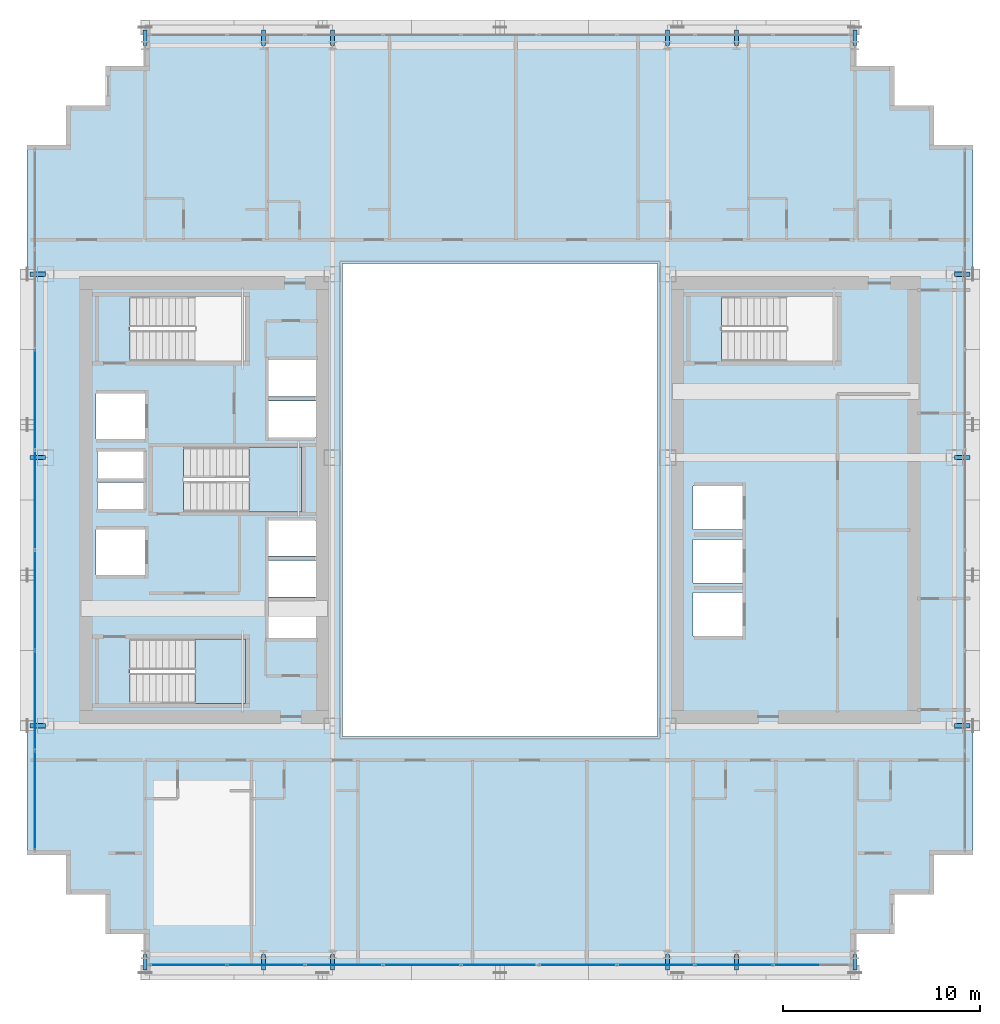
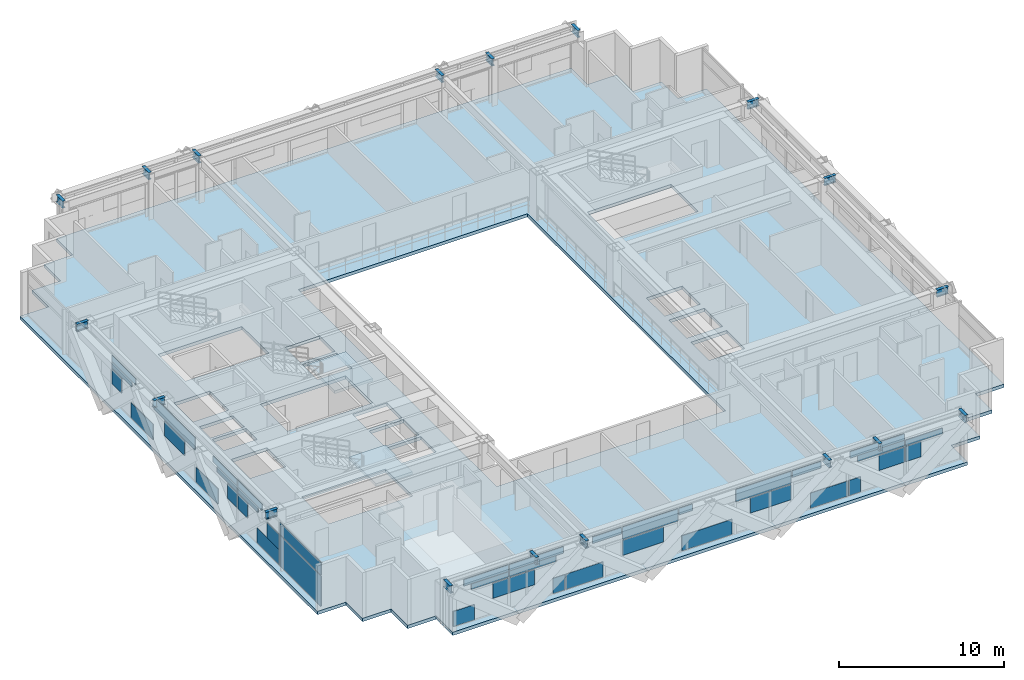
# One storey, part 23 of 35: 41 plates, 18 beams, 3 slabs, 4 elements without a shape of their own.
"""IFC4 building model written with IfcOpenShell, lengths in metres."""

from ifc_helpers import new_model, si_unit, direction, frame, origin, origin_2d, place, context, subcontext, project, spatial, polyline, rectangle, i_section, outline, extrude, source, transform, mapped, material, layer, layer_set, material_profile, profile_set, type_object, element, aggregate, save


model = new_model("IFC4")

# Units and contexts
model_context = context("Model", 3, precision=1e-05, world=origin(), true_north=direction((0.0, 1.0)))
body_context = subcontext(model_context, "Body", "Model", "MODEL_VIEW")
ifc_project = project(units=[si_unit("LENGTHUNIT", "METRE"), si_unit("AREAUNIT", "SQUARE_METRE"), si_unit("VOLUMEUNIT", "CUBIC_METRE"), si_unit("PLANEANGLEUNIT", "RADIAN"), si_unit("MASSUNIT", "GRAM", prefix="KILO")], contexts=[model_context])

# Site, building, storey
site_placement = place(None, origin())
site = spatial("IfcSite", under=ifc_project, at=site_placement, CompositionType="ELEMENT")
building_placement = place(site_placement, origin())
building = spatial("IfcBuilding", under=site, at=building_placement, Name="Ocotamira Hotel", CompositionType="ELEMENT")
storey_placement = place(building_placement, frame((0.0, 0.0, 122.39990234375)))
storey = spatial("IfcBuildingStorey", under=building, at=storey_placement, Name="L30", CompositionType="ELEMENT", Elevation=122.39990234375)

# Beams
ifc_material_1 = material(Name="Steel ASTM A992 Grade 50", Category="steel")
ifc_material_profile = material_profile(ifc_material_1, i_section(OverallWidth=0.2099609375, OverallDepth=0.537109375, WebThickness=0.010986328125, FlangeThickness=0.017333984375, FilletRadius=0.012939453125, at=origin_2d()), Name="W21X68")
ifc_profile_set = profile_set([ifc_material_profile], Name="Steel ASTM A992 Grade 50")
beam_type = type_object("IfcBeamType", Name="BM-SEC-W21X68", PredefinedType="JOIST", material=ifc_profile_set)
shared_shape_1 = source(origin(), body_context, "Body", "SweptSolid", [
    extrude(i_section(OverallWidth=0.2099609375, OverallDepth=0.537109375, WebThickness=0.010986328125, FlangeThickness=0.017333984375, FilletRadius=0.012939453125, at=origin_2d()), origin(), (0.0, 0.0, 1.0), 0.800048828125),
])
for number, where, z_axis, x_axis, name in (
    (1, (14.0, 2.949951171875, 3.091552734375), (0.0, -1.0, 0.0), (1.0, 0.0, 0.0), "L30 South Edge Header X14"),
    (2, (14.0, 49.050048828125, 3.091552734375), (0.0, 1.0, 0.0), (-1.0, 0.0, 0.0), "L30 North Edge Header X14"),
    (3, (20.0, 2.949951171875, 3.091552734375), (0.0, -1.0, 0.0), (1.0, 0.0, 0.0), "L30 South Edge Header X20"),
    (4, (20.0, 49.050048828125, 3.091552734375), (0.0, 1.0, 0.0), (-1.0, 0.0, 0.0), "L30 North Edge Header X20"),
    (5, (23.5, 2.949951171875, 3.091552734375), (0.0, -1.0, 0.0), (1.0, 0.0, 0.0), "L30 South Edge Header X23.5"),
    (6, (23.5, 49.050048828125, 3.091552734375), (0.0, 1.0, 0.0), (-1.0, 0.0, 0.0), "L30 North Edge Header X23.5"),
    (7, (40.5, 2.949951171875, 3.091552734375), (0.0, -1.0, 0.0), (1.0, 0.0, 0.0), "L30 South Edge Header X40.5"),
    (8, (40.5, 49.050048828125, 3.091552734375), (0.0, 1.0, 0.0), (-1.0, 0.0, 0.0), "L30 North Edge Header X40.5"),
    (9, (44.0, 2.949951171875, 3.091552734375), (0.0, -1.0, 0.0), (1.0, 0.0, 0.0), "L30 South Edge Header X44"),
    (10, (44.0, 49.050048828125, 3.091552734375), (0.0, 1.0, 0.0), (-1.0, 0.0, 0.0), "L30 North Edge Header X44"),
    (11, (50.0, 2.949951171875, 3.091552734375), (0.0, -1.0, 0.0), (1.0, 0.0, 0.0), "L30 South Edge Header X50"),
    (12, (50.0, 49.050048828125, 3.091552734375), (0.0, 1.0, 0.0), (-1.0, 0.0, 0.0), "L30 North Edge Header X50"),
    (13, (8.949951171875, 14.550048828125, 3.091552734375), (-1.0, 0.0, 0.0), (0.0, -1.0, 0.0), "L30 West Edge Header Y14.55"),
    (14, (55.050048828125, 14.550048828125, 3.091552734375), (1.0, 0.0, 0.0), (0.0, 1.0, 0.0), "L30 East Edge Header Y14.55"),
    (15, (8.949951171875, 28.14990234375, 3.091552734375), (-1.0, 0.0, 0.0), (0.0, -1.0, 0.0), "L30 West Edge Header Y28.15"),
    (16, (55.050048828125, 28.14990234375, 3.091552734375), (1.0, 0.0, 0.0), (0.0, 1.0, 0.0), "L30 East Edge Header Y28.15"),
    (17, (8.949951171875, 37.449951171875, 3.091552734375), (-1.0, 0.0, 0.0), (0.0, -1.0, 0.0), "L30 West Edge Header Y37.45"),
    (18, (55.050048828125, 37.449951171875, 3.091552734375), (1.0, 0.0, 0.0), (0.0, 1.0, 0.0), "L30 East Edge Header Y37.45"),
):
    element("IfcBeam", number, at=place(storey_placement, frame(where, z_axis=z_axis, x_axis=x_axis)), inside=storey, type_object=beam_type, Name=name, PredefinedType="JOIST", context=body_context, shape_type="MappedRepresentation", body=[
        mapped(shared_shape_1, transform((0.0, 0.0, 0.0), scale=1.0)),
    ])

# Stair, slab
ifc_material_2 = material(Name="Concrete C40/50", Category="concrete")
stair_type = type_object("IfcStairType", Name="ST-CORE-1560", PredefinedType="HALF_TURN_STAIR", material=ifc_material_2)
stair_1_placement = place(storey_placement, origin())
stair_1 = element("IfcStair", 19, at=stair_1_placement, inside=storey, type_object=stair_type, Name="L30 Exit Stair ST-1", PredefinedType="HALF_TURN_STAIR")
ifc_layer_1 = layer(ifc_material_2, 0.199951171875)
ifc_layer_set_1 = layer_set([ifc_layer_1], Name="Concrete C40/50")
slab_type_1 = type_object("IfcSlabType", Name="SLB-LAND-200", PredefinedType="LANDING", material=ifc_layer_set_1)
slab_1_placement = place(storey_placement, frame((0.0, 0.0, 1.60009765625)))
slab_1 = element("IfcSlab", 20, at=slab_1_placement, type_object=slab_type_1, Name="ST-1 landing 1", PredefinedType="LANDING", context=body_context, shape_type="SweptSolid", body=[
    extrude(outline(polyline([(16.530029296875, 15.669921875), (19.090087890625, 15.669921875), (19.090087890625, 18.949951171875), (16.530029296875, 18.949951171875), (16.530029296875, 15.669921875)])), origin(), (0.0, 0.0, 1.0), 0.199951171875),
])
aggregate(stair_1, [slab_1])

stair_2_placement = place(storey_placement, origin())
stair_2 = element("IfcStair", 21, at=stair_2_placement, inside=storey, type_object=stair_type, Name="L30 Exit Stair ST-3", PredefinedType="HALF_TURN_STAIR")
slab_2_placement = place(storey_placement, frame((0.0, 0.0, 1.60009765625)))
slab_2 = element("IfcSlab", 22, at=slab_2_placement, type_object=slab_type_1, Name="ST-3 landing 1", PredefinedType="LANDING", context=body_context, shape_type="SweptSolid", body=[
    extrude(outline(polyline([(19.260009765625, 25.39990234375), (21.919921875, 25.39990234375), (21.919921875, 28.679931640625), (19.260009765625, 28.679931640625), (19.260009765625, 25.39990234375)])), origin(), (0.0, 0.0, 1.0), 0.199951171875),
])
aggregate(stair_2, [slab_2])

# Slab
ifc_layer_2 = layer(ifc_material_2, 0.239990234375)
ifc_layer_set_2 = layer_set([ifc_layer_2], Name="Concrete C40/50")
slab_type_2 = type_object("IfcSlabType", Name="SLB-TYP-240", PredefinedType="FLOOR", material=ifc_layer_set_2)
slab_3_placement = place(storey_placement, frame((0.0, 0.0, -0.239990234375)))
element("IfcSlab", 23, at=slab_3_placement, inside=storey, type_object=slab_type_2, Name="L30 Structural Floor Slab", PredefinedType="FLOOR", context=body_context, shape_type="SweptSolid", body=[
    extrude(outline(polyline([(14.0, 2.0), (50.0, 2.0), (50.0, 4.0), (52.0, 4.0), (52.0, 6.0), (54.0, 6.0), (54.0, 8.0), (56.0, 8.0), (56.0, 44.0), (54.0, 44.0), (54.0, 46.0), (52.0, 46.0), (52.0, 48.0), (50.0, 48.0), (50.0, 50.0), (14.0, 50.0), (14.0, 48.0), (12.0, 48.0), (12.0, 46.0), (10.0, 46.0), (10.0, 44.0), (8.0, 44.0), (8.0, 8.0), (10.0, 8.0), (10.0, 6.0), (12.0, 6.0), (12.0, 4.0), (14.0, 4.0), (14.0, 2.0)]), holes=[polyline([(24.0, 14.0), (40.0, 14.0), (40.0, 38.0), (24.0, 38.0), (24.0, 14.0)]), polyline([(13.22998046875, 15.669921875), (19.090087890625, 15.669921875), (19.090087890625, 18.949951171875), (13.22998046875, 18.949951171875), (13.22998046875, 15.669921875)]), polyline([(13.22998046875, 33.050048828125), (19.090087890625, 33.050048828125), (19.090087890625, 36.330078125), (13.22998046875, 36.330078125), (13.22998046875, 33.050048828125)]), polyline([(15.9599609375, 25.39990234375), (21.919921875, 25.39990234375), (21.919921875, 28.679931640625), (15.9599609375, 28.679931640625), (15.9599609375, 25.39990234375)]), polyline([(43.22998046875, 33.050048828125), (49.090087890625, 33.050048828125), (49.090087890625, 36.330078125), (43.22998046875, 36.330078125), (43.22998046875, 33.050048828125)]), polyline([(41.800048828125, 19.10009765625), (44.300048828125, 19.10009765625), (44.300048828125, 21.300048828125), (41.800048828125, 21.300048828125), (41.800048828125, 19.10009765625)]), polyline([(41.800048828125, 21.800048828125), (44.300048828125, 21.800048828125), (44.300048828125, 24.0), (41.800048828125, 24.0), (41.800048828125, 21.800048828125)]), polyline([(41.800048828125, 24.5), (44.300048828125, 24.5), (44.300048828125, 26.699951171875), (41.800048828125, 26.699951171875), (41.800048828125, 24.5)]), polyline([(20.25, 19.0), (22.659912109375, 19.0), (22.659912109375, 20.85009765625), (20.25, 20.85009765625), (20.25, 19.0)]), polyline([(20.25, 21.080078125), (22.659912109375, 21.080078125), (22.659912109375, 22.929931640625), (20.25, 22.929931640625), (20.25, 21.080078125)]), polyline([(20.25, 23.159912109375), (22.659912109375, 23.159912109375), (22.659912109375, 24.9599609375), (20.25, 24.9599609375), (20.25, 23.159912109375)]), polyline([(20.25, 29.179931640625), (22.659912109375, 29.179931640625), (22.659912109375, 31.030029296875), (20.25, 31.030029296875), (20.25, 29.179931640625)]), polyline([(20.25, 31.260009765625), (22.659912109375, 31.260009765625), (22.659912109375, 33.110107421875), (20.25, 33.110107421875), (20.25, 31.260009765625)]), polyline([(11.5, 22.199951171875), (14.0, 22.199951171875), (14.0, 24.5), (11.5, 24.5), (11.5, 22.199951171875)]), polyline([(11.5, 29.10009765625), (14.0, 29.10009765625), (14.0, 31.39990234375), (11.5, 31.39990234375), (11.5, 29.10009765625)]), polyline([(11.580078125, 25.550048828125), (13.919921875, 25.550048828125), (13.919921875, 26.89990234375), (11.580078125, 26.89990234375), (11.580078125, 25.550048828125)]), polyline([(11.580078125, 27.10009765625), (13.919921875, 27.10009765625), (13.919921875, 28.449951171875), (11.580078125, 28.449951171875), (11.580078125, 27.10009765625)])]), origin(), (0.0, 0.0, 1.0), 0.239990234375),
])

# Curtain wall, plate
ifc_material_3 = material(Name="Anodised pale-metal aluminium and solar glass", Category="aluminium")
ifc_layer_3 = layer(ifc_material_3, 0.179931640625)
ifc_layer_set_3 = layer_set([ifc_layer_3], Name="Anodised pale-metal aluminium and solar glass")
curtain_wall_type = type_object("IfcCurtainWallType", Name="CW-SYS3-Z2", PredefinedType="NOTDEFINED", material=ifc_layer_set_3)
curtain_wall_1_placement = place(storey_placement, origin())
curtain_wall_1 = element("IfcCurtainWall", 24, at=curtain_wall_1_placement, inside=storey, type_object=curtain_wall_type, Name="L30 Curtain Wall CW-3 CW-L30-W", PredefinedType="NOTDEFINED")
ifc_material_4 = material(Name="Double-silver low-E insulated solar glass", Category="glass")
ifc_layer_4 = layer(ifc_material_4, 0.031982421875)
ifc_layer_set_4 = layer_set([ifc_layer_4], Name="Double-silver low-E insulated solar glass")
plate_type = type_object("IfcPlateType", Name="CWP-VISION-32", PredefinedType="CURTAIN_PANEL", material=ifc_layer_set_4)
shared_shape_2 = source(origin(), body_context, "Body", "SweptSolid", [
    extrude(rectangle(XDim=4.9658203125, YDim=0.031982421875, at=origin_2d()), origin(), (0.0, 0.0, 1.0), 2.237548828125),
])
plate_1_placement = place(storey_placement, frame((8.419921875, 10.762939453125, 0.0751953125), z_axis=(0.0, 0.0, 1.0), x_axis=(0.0, 1.0, 0.0)))
plate_1 = element("IfcPlate", 25, at=plate_1_placement, type_object=plate_type, Name="CW-3 panel 1.1", PredefinedType="CURTAIN_PANEL", context=body_context, shape_type="MappedRepresentation", body=[
    mapped(shared_shape_2, transform((0.0, 0.0, 0.0), scale=1.0)),
])

# Curtain wall, plates
curtain_wall_2_placement = place(storey_placement, origin())
curtain_wall_2 = element("IfcCurtainWall", 26, at=curtain_wall_2_placement, inside=storey, type_object=curtain_wall_type, Name="L30 Curtain Wall CW-3 CW-L30-S1", PredefinedType="NOTDEFINED")
shared_shape_3 = source(origin(), body_context, "Body", "SweptSolid", [
    extrude(rectangle(XDim=3.87548828125, YDim=0.031982421875, at=origin_2d()), origin(), (0.0, 0.0, 1.0), 0.8974609375),
])
plate_2_placement = place(storey_placement, frame((28.04443359375, 2.419921875, 2.3876953125), z_axis=(0.0, 0.0, 1.0), x_axis=(1.0, 0.0, 0.0)))
plate_2 = element("IfcPlate", 27, at=plate_2_placement, type_object=plate_type, Name="CW-3 panel 4.2", PredefinedType="CURTAIN_PANEL", context=body_context, shape_type="MappedRepresentation", body=[
    mapped(shared_shape_3, transform((0.0, 0.0, 0.0), scale=1.0)),
])
plate_3_placement = place(storey_placement, frame((35.95556640625, 2.419921875, 2.3876953125), z_axis=(0.0, 0.0, 1.0), x_axis=(1.0, 0.0, 0.0)))
plate_3 = element("IfcPlate", 28, at=plate_3_placement, type_object=plate_type, Name="CW-3 panel 6.2", PredefinedType="CURTAIN_PANEL", context=body_context, shape_type="MappedRepresentation", body=[
    mapped(shared_shape_3, transform((0.0, 0.0, 0.0), scale=1.0)),
])

# Plate
shared_shape_4 = source(origin(), body_context, "Body", "SweptSolid", [
    extrude(rectangle(XDim=4.9658203125, YDim=0.031982421875, at=origin_2d()), origin(), (0.0, 0.0, 1.0), 0.8974609375),
])
plate_4_placement = place(storey_placement, frame((8.419921875, 10.762939453125, 2.3876953125), z_axis=(0.0, 0.0, 1.0), x_axis=(0.0, 1.0, 0.0)))
plate_4 = element("IfcPlate", 29, at=plate_4_placement, type_object=plate_type, Name="CW-3 panel 1.2", PredefinedType="CURTAIN_PANEL", context=body_context, shape_type="MappedRepresentation", body=[
    mapped(shared_shape_4, transform((0.0, 0.0, 0.0), scale=1.0)),
])

shared_shape_5 = source(origin(), body_context, "Body", "SweptSolid", [
    extrude(rectangle(XDim=2.404296875, YDim=0.031982421875, at=origin_2d()), origin(), (0.0, 0.0, 1.0), 1.118896484375),
])
plate_5_placement = place(storey_placement, frame((8.419921875, 26.0, 1.19384765625), z_axis=(0.0, 0.0, 1.0), x_axis=(0.0, 1.0, 0.0)))
plate_5 = element("IfcPlate", 30, at=plate_5_placement, type_object=plate_type, Name="CW-3 panel 4.1.1", PredefinedType="CURTAIN_PANEL", context=body_context, shape_type="MappedRepresentation", body=[
    mapped(shared_shape_5, transform((0.0, 0.0, 0.0), scale=1.0)),
])

shared_shape_6 = source(origin(), body_context, "Body", "SweptSolid", [
    extrude(rectangle(XDim=1.47509765625, YDim=0.031982421875, at=origin_2d()), origin(), (0.0, 0.0, 1.0), 1.118896484375),
])
plate_6_placement = place(storey_placement, frame((15.017578125, 2.419921875, 0.0751953125), z_axis=(0.0, 0.0, 1.0), x_axis=(1.0, 0.0, 0.0)))
plate_6 = element("IfcPlate", 31, at=plate_6_placement, type_object=plate_type, Name="CW-3 panel 1.1.1", PredefinedType="CURTAIN_PANEL", context=body_context, shape_type="MappedRepresentation", body=[
    mapped(shared_shape_6, transform((0.0, 0.0, 0.0), scale=1.0)),
])

shared_shape_7 = source(origin(), body_context, "Body", "SweptSolid", [
    extrude(rectangle(XDim=3.104248046875, YDim=0.031982421875, at=origin_2d()), origin(), (0.0, 0.0, 1.0), 0.4716796875),
])
plate_7_placement = place(storey_placement, frame((16.5634765625, 2.419921875, 2.8134765625), z_axis=(0.0, 0.0, 1.0), x_axis=(1.0, 0.0, 0.0)))
plate_7 = element("IfcPlate", 32, at=plate_7_placement, type_object=plate_type, Name="CW-3 panel 1.2.1", PredefinedType="CURTAIN_PANEL", context=body_context, shape_type="MappedRepresentation", body=[
    mapped(shared_shape_7, transform((0.0, 0.0, 0.0), scale=1.0)),
])

shared_shape_8 = source(origin(), body_context, "Body", "SweptSolid", [
    extrude(rectangle(XDim=2.572021484375, YDim=0.031982421875, at=origin_2d()), origin(), (0.0, 0.0, 1.0), 0.39453125),
])
plate_8_placement = place(storey_placement, frame((16.82958984375, 2.419921875, 2.3876953125), z_axis=(0.0, 0.0, 1.0), x_axis=(1.0, 0.0, 0.0)))
plate_8 = element("IfcPlate", 33, at=plate_8_placement, type_object=plate_type, Name="CW-3 panel 1.2.2", PredefinedType="CURTAIN_PANEL", context=body_context, shape_type="MappedRepresentation", body=[
    mapped(shared_shape_8, transform((0.0, 0.0, 0.0), scale=1.0)),
])

plate_9_placement = place(storey_placement, frame((47.17041015625, 2.419921875, 2.3876953125), z_axis=(0.0, 0.0, 1.0), x_axis=(1.0, 0.0, 0.0)))
plate_9 = element("IfcPlate", 34, at=plate_9_placement, type_object=plate_type, Name="CW-3 panel 9.2.1", PredefinedType="CURTAIN_PANEL", context=body_context, shape_type="MappedRepresentation", body=[
    mapped(shared_shape_8, transform((0.0, 0.0, 0.0), scale=1.0)),
])

shared_shape_9 = source(origin(), body_context, "Body", "SweptSolid", [
    extrude(rectangle(XDim=0.826171875, YDim=0.031982421875, at=origin_2d()), origin(), (0.0, 0.0, 1.0), 1.118896484375),
])
plate_10_placement = place(storey_placement, frame((21.658203125, 2.419921875, 0.0751953125), z_axis=(0.0, 0.0, 1.0), x_axis=(1.0, 0.0, 0.0)))
plate_10 = element("IfcPlate", 35, at=plate_10_placement, type_object=plate_type, Name="CW-3 panel 2.1.2", PredefinedType="CURTAIN_PANEL", context=body_context, shape_type="MappedRepresentation", body=[
    mapped(shared_shape_9, transform((0.0, 0.0, 0.0), scale=1.0)),
])

plate_11_placement = place(storey_placement, frame((42.341796875, 2.419921875, 0.0751953125), z_axis=(0.0, 0.0, 1.0), x_axis=(1.0, 0.0, 0.0)))
plate_11 = element("IfcPlate", 36, at=plate_11_placement, type_object=plate_type, Name="CW-3 panel 8.1.1", PredefinedType="CURTAIN_PANEL", context=body_context, shape_type="MappedRepresentation", body=[
    mapped(shared_shape_9, transform((0.0, 0.0, 0.0), scale=1.0)),
])

shared_shape_10 = source(origin(), body_context, "Body", "SweptSolid", [
    extrude(rectangle(XDim=3.260986328125, YDim=0.031982421875, at=origin_2d()), origin(), (0.0, 0.0, 1.0), 0.42578125),
])
plate_12_placement = place(storey_placement, frame((19.826171875, 2.419921875, 2.3876953125), z_axis=(0.0, 0.0, 1.0), x_axis=(1.0, 0.0, 0.0)))
plate_12 = element("IfcPlate", 37, at=plate_12_placement, type_object=plate_type, Name="CW-3 panel 2.2.1", PredefinedType="CURTAIN_PANEL", context=body_context, shape_type="MappedRepresentation", body=[
    mapped(shared_shape_10, transform((0.0, 0.0, 0.0), scale=1.0)),
])

plate_13_placement = place(storey_placement, frame((44.173828125, 2.419921875, 2.3876953125), z_axis=(0.0, 0.0, 1.0), x_axis=(1.0, 0.0, 0.0)))
plate_13 = element("IfcPlate", 38, at=plate_13_placement, type_object=plate_type, Name="CW-3 panel 8.2.2", PredefinedType="CURTAIN_PANEL", context=body_context, shape_type="MappedRepresentation", body=[
    mapped(shared_shape_10, transform((0.0, 0.0, 0.0), scale=1.0)),
])

shared_shape_11 = source(origin(), body_context, "Body", "SweptSolid", [
    extrude(rectangle(XDim=3.793212890625, YDim=0.031982421875, at=origin_2d()), origin(), (0.0, 0.0, 1.0), 0.4716796875),
])
plate_14_placement = place(storey_placement, frame((20.09228515625, 2.419921875, 2.8134765625), z_axis=(0.0, 0.0, 1.0), x_axis=(1.0, 0.0, 0.0)))
plate_14 = element("IfcPlate", 39, at=plate_14_placement, type_object=plate_type, Name="CW-3 panel 2.2.2", PredefinedType="CURTAIN_PANEL", context=body_context, shape_type="MappedRepresentation", body=[
    mapped(shared_shape_11, transform((0.0, 0.0, 0.0), scale=1.0)),
])

plate_15_placement = place(storey_placement, frame((43.90771484375, 2.419921875, 2.8134765625), z_axis=(0.0, 0.0, 1.0), x_axis=(1.0, 0.0, 0.0)))
plate_15 = element("IfcPlate", 40, at=plate_15_placement, type_object=plate_type, Name="CW-3 panel 8.2.1", PredefinedType="CURTAIN_PANEL", context=body_context, shape_type="MappedRepresentation", body=[
    mapped(shared_shape_11, transform((0.0, 0.0, 0.0), scale=1.0)),
])

shared_shape_12 = source(origin(), body_context, "Body", "SweptSolid", [
    extrude(rectangle(XDim=2.60400390625, YDim=0.031982421875, at=origin_2d()), origin(), (0.0, 0.0, 1.0), 1.118896484375),
])
plate_16_placement = place(storey_placement, frame((23.453125, 2.419921875, 0.0751953125), z_axis=(0.0, 0.0, 1.0), x_axis=(1.0, 0.0, 0.0)))
plate_16 = element("IfcPlate", 41, at=plate_16_placement, type_object=plate_type, Name="CW-3 panel 3.1.1", PredefinedType="CURTAIN_PANEL", context=body_context, shape_type="MappedRepresentation", body=[
    mapped(shared_shape_12, transform((0.0, 0.0, 0.0), scale=1.0)),
])

plate_17_placement = place(storey_placement, frame((40.546875, 2.419921875, 0.0751953125), z_axis=(0.0, 0.0, 1.0), x_axis=(1.0, 0.0, 0.0)))
plate_17 = element("IfcPlate", 42, at=plate_17_placement, type_object=plate_type, Name="CW-3 panel 7.1.1", PredefinedType="CURTAIN_PANEL", context=body_context, shape_type="MappedRepresentation", body=[
    mapped(shared_shape_12, transform((0.0, 0.0, 0.0), scale=1.0)),
])

shared_shape_13 = source(origin(), body_context, "Body", "SweptSolid", [
    extrude(rectangle(XDim=2.015380859375, YDim=0.031982421875, at=origin_2d()), origin(), (0.0, 0.0, 1.0), 0.4716796875),
])
plate_18_placement = place(storey_placement, frame((25.018798828125, 2.419921875, 2.8134765625), z_axis=(0.0, 0.0, 1.0), x_axis=(1.0, 0.0, 0.0)))
plate_18 = element("IfcPlate", 43, at=plate_18_placement, type_object=plate_type, Name="CW-3 panel 3.2.1", PredefinedType="CURTAIN_PANEL", context=body_context, shape_type="MappedRepresentation", body=[
    mapped(shared_shape_13, transform((0.0, 0.0, 0.0), scale=1.0)),
])

plate_19_placement = place(storey_placement, frame((38.981201171875, 2.419921875, 2.8134765625), z_axis=(0.0, 0.0, 1.0), x_axis=(1.0, 0.0, 0.0)))
plate_19 = element("IfcPlate", 44, at=plate_19_placement, type_object=plate_type, Name="CW-3 panel 7.2.1", PredefinedType="CURTAIN_PANEL", context=body_context, shape_type="MappedRepresentation", body=[
    mapped(shared_shape_13, transform((0.0, 0.0, 0.0), scale=1.0)),
])

shared_shape_14 = source(origin(), body_context, "Body", "SweptSolid", [
    extrude(rectangle(XDim=3.510009765625, YDim=0.031982421875, at=origin_2d()), origin(), (0.0, 0.0, 1.0), 1.118896484375),
])
plate_20_placement = place(storey_placement, frame((32.0, 2.419921875, 0.0751953125), z_axis=(0.0, 0.0, 1.0), x_axis=(1.0, 0.0, 0.0)))
plate_20 = element("IfcPlate", 45, at=plate_20_placement, type_object=plate_type, Name="CW-3 panel 5.1.1", PredefinedType="CURTAIN_PANEL", context=body_context, shape_type="MappedRepresentation", body=[
    mapped(shared_shape_14, transform((0.0, 0.0, 0.0), scale=1.0)),
])

shared_shape_15 = source(origin(), body_context, "Body", "SweptSolid", [
    extrude(rectangle(XDim=0.926513671875, YDim=0.031982421875, at=origin_2d()), origin(), (0.0, 0.0, 1.0), 0.4716796875),
])
plate_21_placement = place(storey_placement, frame((30.525390625, 2.419921875, 2.8134765625), z_axis=(0.0, 0.0, 1.0), x_axis=(1.0, 0.0, 0.0)))
plate_21 = element("IfcPlate", 46, at=plate_21_placement, type_object=plate_type, Name="CW-3 panel 5.2.1", PredefinedType="CURTAIN_PANEL", context=body_context, shape_type="MappedRepresentation", body=[
    mapped(shared_shape_15, transform((0.0, 0.0, 0.0), scale=1.0)),
])

shared_shape_16 = source(origin(), body_context, "Body", "SweptSolid", [
    extrude(rectangle(XDim=2.6728515625, YDim=0.031982421875, at=origin_2d()), origin(), (0.0, 0.0, 1.0), 1.118896484375),
])
plate_22_placement = place(storey_placement, frame((8.419921875, 14.662109375, 0.0751953125), z_axis=(0.0, 0.0, 1.0), x_axis=(0.0, 1.0, 0.0)))
plate_22 = element("IfcPlate", 47, at=plate_22_placement, type_object=plate_type, Name="CW-3 panel 2.1.1", PredefinedType="CURTAIN_PANEL", context=body_context, shape_type="MappedRepresentation", body=[
    mapped(shared_shape_16, transform((0.0, 0.0, 0.0), scale=1.0)),
])

shared_shape_17 = source(origin(), body_context, "Body", "SweptSolid", [
    extrude(rectangle(XDim=2.908203125, YDim=0.031982421875, at=origin_2d()), origin(), (0.0, 0.0, 1.0), 0.44873046875),
])
plate_23_placement = place(storey_placement, frame((8.419921875, 16.877197265625, 2.83642578125), z_axis=(0.0, 0.0, 1.0), x_axis=(0.0, 1.0, 0.0)))
plate_23 = element("IfcPlate", 48, at=plate_23_placement, type_object=plate_type, Name="CW-3 panel 2.2.1", PredefinedType="CURTAIN_PANEL", context=body_context, shape_type="MappedRepresentation", body=[
    mapped(shared_shape_17, transform((0.0, 0.0, 0.0), scale=1.0)),
])

shared_shape_18 = source(origin(), body_context, "Body", "SweptSolid", [
    extrude(rectangle(XDim=2.4326171875, YDim=0.031982421875, at=origin_2d()), origin(), (0.0, 0.0, 1.0), 0.414306640625),
])
plate_24_placement = place(storey_placement, frame((8.419921875, 17.115234375, 2.3876953125), z_axis=(0.0, 0.0, 1.0), x_axis=(0.0, 1.0, 0.0)))
plate_24 = element("IfcPlate", 49, at=plate_24_placement, type_object=plate_type, Name="CW-3 panel 2.2.2", PredefinedType="CURTAIN_PANEL", context=body_context, shape_type="MappedRepresentation", body=[
    mapped(shared_shape_18, transform((0.0, 0.0, 0.0), scale=1.0)),
])

shared_shape_19 = source(origin(), body_context, "Body", "SweptSolid", [
    extrude(rectangle(XDim=2.6826171875, YDim=0.031982421875, at=origin_2d()), origin(), (0.0, 0.0, 1.0), 1.118896484375),
])
plate_25_placement = place(storey_placement, frame((8.419921875, 22.075927734375, 0.0751953125), z_axis=(0.0, 0.0, 1.0), x_axis=(0.0, 1.0, 0.0)))
plate_25 = element("IfcPlate", 50, at=plate_25_placement, type_object=plate_type, Name="CW-3 panel 3.1.2", PredefinedType="CURTAIN_PANEL", context=body_context, shape_type="MappedRepresentation", body=[
    mapped(shared_shape_19, transform((0.0, 0.0, 0.0), scale=1.0)),
])

plate_26_placement = place(storey_placement, frame((8.419921875, 29.924072265625, 0.0751953125), z_axis=(0.0, 0.0, 1.0), x_axis=(0.0, 1.0, 0.0)))
plate_26 = element("IfcPlate", 51, at=plate_26_placement, type_object=plate_type, Name="CW-3 panel 5.1.1", PredefinedType="CURTAIN_PANEL", context=body_context, shape_type="MappedRepresentation", body=[
    mapped(shared_shape_19, transform((0.0, 0.0, 0.0), scale=1.0)),
])

shared_shape_20 = source(origin(), body_context, "Body", "SweptSolid", [
    extrude(rectangle(XDim=2.4228515625, YDim=0.031982421875, at=origin_2d()), origin(), (0.0, 0.0, 1.0), 0.414306640625),
])
plate_27_placement = place(storey_placement, frame((8.419921875, 19.622802734375, 2.3876953125), z_axis=(0.0, 0.0, 1.0), x_axis=(0.0, 1.0, 0.0)))
plate_27 = element("IfcPlate", 52, at=plate_27_placement, type_object=plate_type, Name="CW-3 panel 3.2.1", PredefinedType="CURTAIN_PANEL", context=body_context, shape_type="MappedRepresentation", body=[
    mapped(shared_shape_20, transform((0.0, 0.0, 0.0), scale=1.0)),
])

plate_28_placement = place(storey_placement, frame((8.419921875, 32.377197265625, 2.3876953125), z_axis=(0.0, 0.0, 1.0), x_axis=(0.0, 1.0, 0.0)))
plate_28 = element("IfcPlate", 53, at=plate_28_placement, type_object=plate_type, Name="CW-3 panel 5.2.2", PredefinedType="CURTAIN_PANEL", context=body_context, shape_type="MappedRepresentation", body=[
    mapped(shared_shape_20, transform((0.0, 0.0, 0.0), scale=1.0)),
])

shared_shape_21 = source(origin(), body_context, "Body", "SweptSolid", [
    extrude(rectangle(XDim=2.898681640625, YDim=0.031982421875, at=origin_2d()), origin(), (0.0, 0.0, 1.0), 0.44873046875),
])
plate_29_placement = place(storey_placement, frame((8.419921875, 19.860595703125, 2.83642578125), z_axis=(0.0, 0.0, 1.0), x_axis=(0.0, 1.0, 0.0)))
plate_29 = element("IfcPlate", 54, at=plate_29_placement, type_object=plate_type, Name="CW-3 panel 3.2.2", PredefinedType="CURTAIN_PANEL", context=body_context, shape_type="MappedRepresentation", body=[
    mapped(shared_shape_21, transform((0.0, 0.0, 0.0), scale=1.0)),
])

plate_30_placement = place(storey_placement, frame((8.419921875, 32.139404296875, 2.83642578125), z_axis=(0.0, 0.0, 1.0), x_axis=(0.0, 1.0, 0.0)))
plate_30 = element("IfcPlate", 55, at=plate_30_placement, type_object=plate_type, Name="CW-3 panel 5.2.1", PredefinedType="CURTAIN_PANEL", context=body_context, shape_type="MappedRepresentation", body=[
    mapped(shared_shape_21, transform((0.0, 0.0, 0.0), scale=1.0)),
])

shared_shape_22 = source(origin(), body_context, "Body", "SweptSolid", [
    extrude(rectangle(XDim=5.005615234375, YDim=0.031982421875, at=origin_2d()), origin(), (0.0, 0.0, 1.0), 0.8974609375),
])
plate_31_placement = place(storey_placement, frame((8.419921875, 26.0, 2.3876953125), z_axis=(0.0, 0.0, 1.0), x_axis=(0.0, 1.0, 0.0)))
plate_31 = element("IfcPlate", 56, at=plate_31_placement, type_object=plate_type, Name="CW-3 panel 4.2", PredefinedType="CURTAIN_PANEL", context=body_context, shape_type="MappedRepresentation", body=[
    mapped(shared_shape_22, transform((0.0, 0.0, 0.0), scale=1.0)),
])

shared_shape_23 = source(origin(), body_context, "Body", "SweptSolid", [
    extrude(rectangle(XDim=1.079833984375, YDim=0.031982421875, at=origin_2d()), origin(), (0.0, 0.0, 1.0), 1.118896484375),
])
plate_32_placement = place(storey_placement, frame((17.57568359375, 2.419921875, 1.19384765625), z_axis=(0.0, 0.0, 1.0), x_axis=(1.0, 0.0, 0.0)))
plate_32 = element("IfcPlate", 57, at=plate_32_placement, type_object=plate_type, Name="CW-3 panel 1.1.2", PredefinedType="CURTAIN_PANEL", context=body_context, shape_type="MappedRepresentation", body=[
    mapped(shared_shape_23, transform((0.0, 0.0, 0.0), scale=1.0)),
])

plate_33_placement = place(storey_placement, frame((46.42431640625, 2.419921875, 1.19384765625), z_axis=(0.0, 0.0, 1.0), x_axis=(1.0, 0.0, 0.0)))
plate_33 = element("IfcPlate", 58, at=plate_33_placement, type_object=plate_type, Name="CW-3 panel 9.1.1", PredefinedType="CURTAIN_PANEL", context=body_context, shape_type="MappedRepresentation", body=[
    mapped(shared_shape_23, transform((0.0, 0.0, 0.0), scale=1.0)),
])

shared_shape_24 = source(origin(), body_context, "Body", "SweptSolid", [
    extrude(rectangle(XDim=1.768798828125, YDim=0.031982421875, at=origin_2d()), origin(), (0.0, 0.0, 1.0), 1.118896484375),
])
plate_34_placement = place(storey_placement, frame((19.080078125, 2.419921875, 1.19384765625), z_axis=(0.0, 0.0, 1.0), x_axis=(1.0, 0.0, 0.0)))
plate_34 = element("IfcPlate", 59, at=plate_34_placement, type_object=plate_type, Name="CW-3 panel 2.1.1", PredefinedType="CURTAIN_PANEL", context=body_context, shape_type="MappedRepresentation", body=[
    mapped(shared_shape_24, transform((0.0, 0.0, 0.0), scale=1.0)),
])

plate_35_placement = place(storey_placement, frame((44.919921875, 2.419921875, 1.19384765625), z_axis=(0.0, 0.0, 1.0), x_axis=(1.0, 0.0, 0.0)))
plate_35 = element("IfcPlate", 60, at=plate_35_placement, type_object=plate_type, Name="CW-3 panel 8.1.2", PredefinedType="CURTAIN_PANEL", context=body_context, shape_type="MappedRepresentation", body=[
    mapped(shared_shape_24, transform((0.0, 0.0, 0.0), scale=1.0)),
])

shared_shape_25 = source(origin(), body_context, "Body", "SweptSolid", [
    extrude(rectangle(XDim=2.857666015625, YDim=0.031982421875, at=origin_2d()), origin(), (0.0, 0.0, 1.0), 1.118896484375),
])
plate_36_placement = place(storey_placement, frame((27.535400390625, 2.419921875, 1.19384765625), z_axis=(0.0, 0.0, 1.0), x_axis=(1.0, 0.0, 0.0)))
plate_36 = element("IfcPlate", 61, at=plate_36_placement, type_object=plate_type, Name="CW-3 panel 4.1.1", PredefinedType="CURTAIN_PANEL", context=body_context, shape_type="MappedRepresentation", body=[
    mapped(shared_shape_25, transform((0.0, 0.0, 0.0), scale=1.0)),
])

plate_37_placement = place(storey_placement, frame((36.464599609375, 2.419921875, 1.19384765625), z_axis=(0.0, 0.0, 1.0), x_axis=(1.0, 0.0, 0.0)))
plate_37 = element("IfcPlate", 62, at=plate_37_placement, type_object=plate_type, Name="CW-3 panel 6.1.1", PredefinedType="CURTAIN_PANEL", context=body_context, shape_type="MappedRepresentation", body=[
    mapped(shared_shape_25, transform((0.0, 0.0, 0.0), scale=1.0)),
])

aggregate(curtain_wall_2, [plate_6, plate_32, plate_7, plate_8, plate_34, plate_10, plate_12, plate_14, plate_16, plate_18, plate_36, plate_2, plate_20, plate_21, plate_37, plate_3, plate_17, plate_19, plate_11, plate_35, plate_15, plate_13, plate_33, plate_9])

shared_shape_26 = source(origin(), body_context, "Body", "SweptSolid", [
    extrude(rectangle(XDim=1.48681640625, YDim=0.031982421875, at=origin_2d()), origin(), (0.0, 0.0, 1.0), 1.118896484375),
])
plate_38_placement = place(storey_placement, frame((8.419921875, 14.069091796875, 1.19384765625), z_axis=(0.0, 0.0, 1.0), x_axis=(0.0, 1.0, 0.0)))
plate_38 = element("IfcPlate", 63, at=plate_38_placement, type_object=plate_type, Name="CW-3 panel 2.1.2", PredefinedType="CURTAIN_PANEL", context=body_context, shape_type="MappedRepresentation", body=[
    mapped(shared_shape_26, transform((0.0, 0.0, 0.0), scale=1.0)),
])

shared_shape_27 = source(origin(), body_context, "Body", "SweptSolid", [
    extrude(rectangle(XDim=1.1669921875, YDim=0.031982421875, at=origin_2d()), origin(), (0.0, 0.0, 1.0), 1.118896484375),
])
plate_39_placement = place(storey_placement, frame((8.419921875, 17.748046875, 1.19384765625), z_axis=(0.0, 0.0, 1.0), x_axis=(0.0, 1.0, 0.0)))
plate_39 = element("IfcPlate", 64, at=plate_39_placement, type_object=plate_type, Name="CW-3 panel 2.1.3", PredefinedType="CURTAIN_PANEL", context=body_context, shape_type="MappedRepresentation", body=[
    mapped(shared_shape_27, transform((0.0, 0.0, 0.0), scale=1.0)),
])

shared_shape_28 = source(origin(), body_context, "Body", "SweptSolid", [
    extrude(rectangle(XDim=1.1572265625, YDim=0.031982421875, at=origin_2d()), origin(), (0.0, 0.0, 1.0), 1.118896484375),
])
plate_40_placement = place(storey_placement, frame((8.419921875, 18.989990234375, 1.19384765625), z_axis=(0.0, 0.0, 1.0), x_axis=(0.0, 1.0, 0.0)))
plate_40 = element("IfcPlate", 65, at=plate_40_placement, type_object=plate_type, Name="CW-3 panel 3.1.1", PredefinedType="CURTAIN_PANEL", context=body_context, shape_type="MappedRepresentation", body=[
    mapped(shared_shape_28, transform((0.0, 0.0, 0.0), scale=1.0)),
])

plate_41_placement = place(storey_placement, frame((8.419921875, 33.010009765625, 1.19384765625), z_axis=(0.0, 0.0, 1.0), x_axis=(0.0, 1.0, 0.0)))
plate_41 = element("IfcPlate", 66, at=plate_41_placement, type_object=plate_type, Name="CW-3 panel 5.1.2", PredefinedType="CURTAIN_PANEL", context=body_context, shape_type="MappedRepresentation", body=[
    mapped(shared_shape_28, transform((0.0, 0.0, 0.0), scale=1.0)),
])

aggregate(curtain_wall_1, [plate_1, plate_4, plate_22, plate_38, plate_39, plate_23, plate_24, plate_40, plate_25, plate_27, plate_29, plate_5, plate_31, plate_26, plate_41, plate_30, plate_28])

save(model, "model.ifc")
